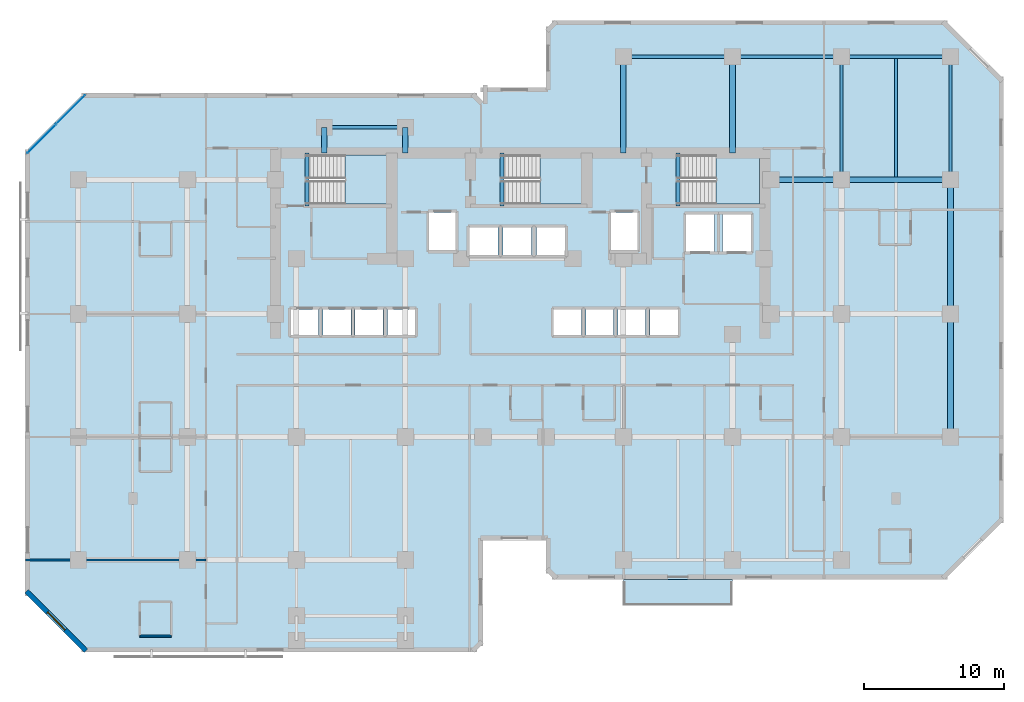
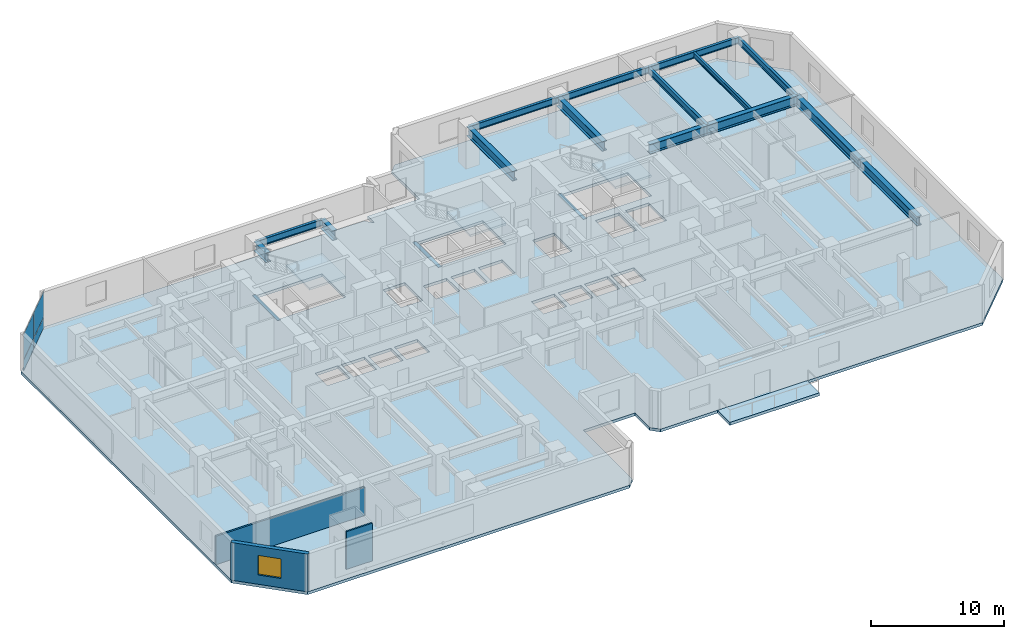
# One storey, part 4 of 11: 18 beams, 5 slabs, 4 plates, 3 walls, 1 window, 1 opening, 4 elements without a shape of their own.
"""IFC4 building model written with IfcOpenShell, lengths in metres."""

from ifc_helpers import new_model, si_unit, direction, frame, frame_2d, origin, origin_2d, place, context, subcontext, project, spatial, polyline, rectangle, i_section, outline, extrude, material, layer, layer_set, material_profile, profile_set, type_object, element, fill, aggregate, save


model = new_model("IFC4")

# Units and contexts
model_context = context("Model", 3, precision=1e-05, world=origin(), true_north=direction((0.0, 1.0)))
body_context = subcontext(model_context, "Body", "Model", "MODEL_VIEW")
ifc_project = project(units=[si_unit("LENGTHUNIT", "METRE"), si_unit("AREAUNIT", "SQUARE_METRE"), si_unit("VOLUMEUNIT", "CUBIC_METRE"), si_unit("PLANEANGLEUNIT", "RADIAN"), si_unit("MASSUNIT", "GRAM", prefix="KILO")], contexts=[model_context])

# Site, building, storey
site_placement = place(None, origin())
site = spatial("IfcSite", under=ifc_project, at=site_placement, CompositionType="ELEMENT")
building_placement = place(site_placement, origin())
building = spatial("IfcBuilding", under=site, at=building_placement, Name="Kestravale Grand Hotel", CompositionType="ELEMENT")
storey_placement = place(building_placement, frame((0.0, 0.0, 126.0)))
storey = spatial("IfcBuildingStorey", under=building, at=storey_placement, Name="L31", CompositionType="ELEMENT", Elevation=126.0)

# Beams
ifc_material_1 = material(Name="Steel ASTM A992 Grade 50", Category="steel")
ifc_material_profile_1 = material_profile(ifc_material_1, i_section(OverallWidth=0.19091796875, OverallDepth=0.45703125, WebThickness=0.009033203125, FlangeThickness=0.014404296875, FilletRadius=0.015380859375, at=origin_2d()))
ifc_profile_set_1 = profile_set([ifc_material_profile_1], Name="Steel ASTM A992 Grade 50")
beam_type_1 = type_object("IfcBeamType", Name="B-FLR-JST18", PredefinedType="JOIST", material=ifc_profile_set_1)
beam_1_placement = place(storey_placement, frame((66.300048828125, 38.6005859375, 3.2314453125), z_axis=(0.0, 1.0, 0.0), x_axis=(-1.0, 0.0, 0.0)))
element("IfcBeam", 1, at=beam_1_placement, inside=storey, type_object=beam_type_1, Name="L31 floor joist 10-11/F-G #1", PredefinedType="JOIST", context=body_context, shape_type="SweptSolid", body=[
    extrude(i_section(OverallWidth=0.19091796875, OverallDepth=0.45703125, WebThickness=0.009033203125, FlangeThickness=0.014404296875, FilletRadius=0.015380859375, at=origin_2d()), origin(), (0.0, 0.0, 1.0), 8.48486328125),
])
ifc_material_2 = material(Name="Concrete f'c 45 MPa", Category="concrete")
ifc_material_profile_2 = material_profile(ifc_material_2, rectangle(XDim=0.300048828125, YDim=0.39990234375, at=origin_2d()))
ifc_profile_set_2 = profile_set([ifc_material_profile_2], Name="Concrete f'c 45 MPa")
beam_type_2 = type_object("IfcBeamType", Name="B-FLR-LNT400", PredefinedType="LINTEL", material=ifc_profile_set_2)
for number, where, z_axis, x_axis, name in (
    (2, (24.159912109375, 36.52001953125, -0.199951171875), (0.0, 1.0, 0.0), (-1.0, 0.0, 0.0), "L31 ST1 flight bottom header beam"),
    (3, (38.110107421875, 36.52001953125, -0.199951171875), (0.0, 1.0, 0.0), (-1.0, 0.0, 0.0), "L31 ST2 flight bottom header beam"),
    (4, (50.7099609375, 36.52001953125, -0.199951171875), (0.0, 1.0, 0.0), (-1.0, 0.0, 0.0), "L31 ST3 flight bottom header beam"),
):
    element("IfcBeam", number, at=place(storey_placement, frame(where, z_axis=z_axis, x_axis=x_axis)), inside=storey, type_object=beam_type_2, Name=name, PredefinedType="LINTEL", context=body_context, shape_type="SweptSolid", body=[
        extrude(rectangle(XDim=0.300048828125, YDim=0.39990234375, at=origin_2d()), origin(), (0.0, 0.0, 1.0), 3.800048828125),
    ])
ifc_material_3 = material(Name="Steel ASTM A992 Grade 50", Category="steel")
ifc_material_profile_3 = material_profile(ifc_material_3, i_section(OverallWidth=0.22900390625, OverallDepth=0.612060546875, WebThickness=0.011962890625, FlangeThickness=0.01953125, FilletRadius=0.019287109375, at=origin_2d()))
ifc_profile_set_3 = profile_set([ifc_material_profile_3], Name="Steel ASTM A992 Grade 50")
beam_type_3 = type_object("IfcBeamType", Name="B-FLR-W24B", PredefinedType="SPANDREL", material=ifc_profile_set_3)
beam_2_placement = place(storey_placement, frame((46.800048828125, 47.199951171875, 3.154052734375), z_axis=(1.0, 0.0, 0.0), x_axis=(0.0, 1.0, 0.0)))
element("IfcBeam", 5, at=beam_2_placement, inside=storey, type_object=beam_type_3, Name="L31 spandrel G:8-9", PredefinedType="SPANDREL", context=body_context, shape_type="SweptSolid", body=[
    extrude(i_section(OverallWidth=0.22900390625, OverallDepth=0.612060546875, WebThickness=0.011962890625, FlangeThickness=0.01953125, FilletRadius=0.019287109375, at=origin_2d()), origin(), (0.0, 0.0, 1.0), 7.800048828125),
])
beam_3_placement = place(storey_placement, frame((54.60009765625, 47.199951171875, 3.154052734375), z_axis=(1.0, 0.0, 0.0), x_axis=(0.0, 1.0, 0.0)))
element("IfcBeam", 6, at=beam_3_placement, inside=storey, type_object=beam_type_3, Name="L31 spandrel G:9-10", PredefinedType="SPANDREL", context=body_context, shape_type="SweptSolid", body=[
    extrude(i_section(OverallWidth=0.22900390625, OverallDepth=0.612060546875, WebThickness=0.011962890625, FlangeThickness=0.01953125, FilletRadius=0.019287109375, at=origin_2d()), origin(), (0.0, 0.0, 1.0), 7.7998046875),
])
beam_4_placement = place(storey_placement, frame((62.39990234375, 47.199951171875, 3.154052734375), z_axis=(1.0, 0.0, 0.0), x_axis=(0.0, 1.0, 0.0)))
element("IfcBeam", 7, at=beam_4_placement, inside=storey, type_object=beam_type_3, Name="L31 spandrel G:10-11", PredefinedType="SPANDREL", context=body_context, shape_type="SweptSolid", body=[
    extrude(i_section(OverallWidth=0.22900390625, OverallDepth=0.612060546875, WebThickness=0.011962890625, FlangeThickness=0.01953125, FilletRadius=0.019287109375, at=origin_2d()), origin(), (0.0, 0.0, 1.0), 7.800048828125),
])
beam_5_placement = place(storey_placement, frame((25.39990234375, 42.14990234375, 3.154052734375), z_axis=(1.0, 0.0, 0.0), x_axis=(0.0, 1.0, 0.0)))
element("IfcBeam", 8, at=beam_5_placement, inside=storey, type_object=beam_type_3, Name="L31 perimeter tie spandrel FN:4-5", PredefinedType="SPANDREL", context=body_context, shape_type="SweptSolid", body=[
    extrude(i_section(OverallWidth=0.22900390625, OverallDepth=0.612060546875, WebThickness=0.011962890625, FlangeThickness=0.01953125, FilletRadius=0.019287109375, at=origin_2d()), origin(), (0.0, 0.0, 1.0), 5.800048828125),
])
for number, where, z_axis, x_axis, name in (
    (9, (62.39990234375, 38.39990234375, 3.154052734375), (0.0, 1.0, 0.0), (-1.0, 0.0, 0.0), "L31 spandrel 10:F-G"),
    (10, (70.199951171875, 38.39990234375, 3.154052734375), (0.0, 1.0, 0.0), (-1.0, 0.0, 0.0), "L31 spandrel 11:F-G"),
):
    element("IfcBeam", number, at=place(storey_placement, frame(where, z_axis=z_axis, x_axis=x_axis)), inside=storey, type_object=beam_type_3, Name=name, PredefinedType="SPANDREL", context=body_context, shape_type="SweptSolid", body=[
        extrude(i_section(OverallWidth=0.22900390625, OverallDepth=0.612060546875, WebThickness=0.011962890625, FlangeThickness=0.01953125, FilletRadius=0.019287109375, at=origin_2d()), origin(), (0.0, 0.0, 1.0), 8.800048828125),
    ])
ifc_material_4 = material(Name="Steel ASTM A992 Grade 50", Category="steel")
ifc_material_profile_4 = material_profile(ifc_material_4, i_section(OverallWidth=0.40087890625, OverallDepth=0.861083984375, WebThickness=0.019775390625, FlangeThickness=0.032470703125, FilletRadius=0.0234375, at=origin_2d()))
ifc_profile_set_4 = profile_set([ifc_material_profile_4], Name="Steel ASTM A992 Grade 50")
beam_type_4 = type_object("IfcBeamType", Name="B-GRD-W33", PredefinedType="BEAM", material=ifc_profile_set_4)
beam_6_placement = place(storey_placement, frame((57.35009765625, 38.39990234375, 3.029541015625), z_axis=(1.0, 0.0, 0.0), x_axis=(0.0, 1.0, 0.0)))
element("IfcBeam", 11, at=beam_6_placement, inside=storey, type_object=beam_type_4, Name="L31 girder F:CE-10", PredefinedType="BEAM", context=body_context, shape_type="SweptSolid", body=[
    extrude(i_section(OverallWidth=0.40087890625, OverallDepth=0.861083984375, WebThickness=0.019775390625, FlangeThickness=0.032470703125, FilletRadius=0.0234375, at=origin_2d()), origin(), (0.0, 0.0, 1.0), 5.0498046875),
])
beam_7_placement = place(storey_placement, frame((62.39990234375, 38.39990234375, 3.029541015625), z_axis=(1.0, 0.0, 0.0), x_axis=(0.0, 1.0, 0.0)))
element("IfcBeam", 12, at=beam_7_placement, inside=storey, type_object=beam_type_4, Name="L31 girder F:10-11", PredefinedType="BEAM", context=body_context, shape_type="SweptSolid", body=[
    extrude(i_section(OverallWidth=0.40087890625, OverallDepth=0.861083984375, WebThickness=0.019775390625, FlangeThickness=0.032470703125, FilletRadius=0.0234375, at=origin_2d()), origin(), (0.0, 0.0, 1.0), 7.800048828125),
])
beam_8_placement = place(storey_placement, frame((70.199951171875, 20.0, 3.029541015625), z_axis=(0.0, 1.0, 0.0), x_axis=(-1.0, 0.0, 0.0)))
element("IfcBeam", 13, at=beam_8_placement, inside=storey, type_object=beam_type_4, Name="L31 girder 11:D-E", PredefinedType="BEAM", context=body_context, shape_type="SweptSolid", body=[
    extrude(i_section(OverallWidth=0.40087890625, OverallDepth=0.861083984375, WebThickness=0.019775390625, FlangeThickness=0.032470703125, FilletRadius=0.0234375, at=origin_2d()), origin(), (0.0, 0.0, 1.0), 8.800048828125),
])
beam_9_placement = place(storey_placement, frame((70.199951171875, 28.800048828125, 3.029541015625), z_axis=(0.0, 1.0, 0.0), x_axis=(-1.0, 0.0, 0.0)))
element("IfcBeam", 14, at=beam_9_placement, inside=storey, type_object=beam_type_4, Name="L31 girder 11:E-F", PredefinedType="BEAM", context=body_context, shape_type="SweptSolid", body=[
    extrude(i_section(OverallWidth=0.40087890625, OverallDepth=0.861083984375, WebThickness=0.019775390625, FlangeThickness=0.032470703125, FilletRadius=0.0234375, at=origin_2d()), origin(), (0.0, 0.0, 1.0), 9.599853515625),
])
for number, where, z_axis, x_axis, name in (
    (15, (25.39990234375, 40.320068359375, 3.029541015625), (0.0, 1.0, 0.0), (-1.0, 0.0, 0.0), "L31 north wing tie girder 4:CN-FN"),
    (16, (31.199951171875, 40.320068359375, 3.029541015625), (0.0, 1.0, 0.0), (-1.0, 0.0, 0.0), "L31 north wing tie girder 5:CN-FN"),
):
    element("IfcBeam", number, at=place(storey_placement, frame(where, z_axis=z_axis, x_axis=x_axis)), inside=storey, type_object=beam_type_4, Name=name, PredefinedType="BEAM", context=body_context, shape_type="SweptSolid", body=[
        extrude(i_section(OverallWidth=0.40087890625, OverallDepth=0.861083984375, WebThickness=0.019775390625, FlangeThickness=0.032470703125, FilletRadius=0.0234375, at=origin_2d()), origin(), (0.0, 0.0, 1.0), 1.829833984375),
    ])
for number, where, z_axis, x_axis, name in (
    (17, (46.800048828125, 40.320068359375, 3.029541015625), (0.0, 1.0, 0.0), (-1.0, 0.0, 0.0), "L31 north wing tie girder 8:CN-G"),
    (18, (54.60009765625, 40.320068359375, 3.029541015625), (0.0, 1.0, 0.0), (-1.0, 0.0, 0.0), "L31 north wing tie girder 9:CN-G"),
):
    element("IfcBeam", number, at=place(storey_placement, frame(where, z_axis=z_axis, x_axis=x_axis)), inside=storey, type_object=beam_type_4, Name=name, PredefinedType="BEAM", context=body_context, shape_type="SweptSolid", body=[
        extrude(i_section(OverallWidth=0.40087890625, OverallDepth=0.861083984375, WebThickness=0.019775390625, FlangeThickness=0.032470703125, FilletRadius=0.0234375, at=origin_2d()), origin(), (0.0, 0.0, 1.0), 6.8798828125),
    ])

# Curtain wall, plates
ifc_material_5 = material(Name="Thermally broken champagne-bronze aluminium and low-E glazing", Category="aluminium")
ifc_layer_1 = layer(ifc_material_5, 0.199951171875)
ifc_layer_set_1 = layer_set([ifc_layer_1], Name="CW-Z2")
curtain_wall_type = type_object("IfcCurtainWallType", Name="CW-Z2", PredefinedType="NOTDEFINED", material=ifc_layer_set_1)
curtain_wall_placement = place(storey_placement, origin())
curtain_wall = element("IfcCurtainWall", 19, at=curtain_wall_placement, inside=storey, type_object=curtain_wall_type, Name="L31 unitised curtain wall 18", PredefinedType="NOTDEFINED")
ifc_material_6 = material(Name="Insulated clear low-E double glazing IGU", Category="glass")
ifc_layer_2 = layer(ifc_material_6, 0.031982421875)
ifc_layer_set_2 = layer_set([ifc_layer_2], Name="CW-PNL-32")
plate_type = type_object("IfcPlateType", Name="CW-PNL-32", PredefinedType="CURTAIN_PANEL", material=ifc_layer_set_2)
plate_1_placement = place(storey_placement, frame((7.26416015625, 43.423583984375, 0.06494140625), z_axis=(0.0, 0.0, 1.0), x_axis=(-0.707106781187, -0.707106781187, 0.0)))
plate_1 = element("IfcPlate", 20, at=plate_1_placement, type_object=plate_type, Name="CW-Z2 panel 1.1", PredefinedType="CURTAIN_PANEL", context=body_context, shape_type="SweptSolid", body=[
    extrude(rectangle(XDim=2.87744140625, YDim=0.031982421875, at=origin_2d()), origin(), (0.0, 0.0, 1.0), 0.952392578125),
])
plate_2_placement = place(storey_placement, frame((7.26416015625, 43.423583984375, 1.08251953125), z_axis=(0.0, 0.0, 1.0), x_axis=(-0.707106781187, -0.707106781187, 0.0)))
plate_2 = element("IfcPlate", 21, at=plate_2_placement, type_object=plate_type, Name="CW-Z2 panel 1.2", PredefinedType="CURTAIN_PANEL", context=body_context, shape_type="SweptSolid", body=[
    extrude(rectangle(XDim=2.87744140625, YDim=0.031982421875, at=origin_2d()), origin(), (0.0, 0.0, 1.0), 2.3125),
])
plate_3_placement = place(storey_placement, frame((5.17626953125, 41.3359375, 0.06494140625), z_axis=(0.0, 0.0, 1.0), x_axis=(-0.707106781187, -0.707106781187, 0.0)))
plate_3 = element("IfcPlate", 22, at=plate_3_placement, type_object=plate_type, Name="CW-Z2 panel 2.1", PredefinedType="CURTAIN_PANEL", context=body_context, shape_type="SweptSolid", body=[
    extrude(rectangle(XDim=2.87744140625, YDim=0.031982421875, at=origin_2d()), origin(), (0.0, 0.0, 1.0), 0.952392578125),
])
plate_4_placement = place(storey_placement, frame((5.17626953125, 41.3359375, 1.08251953125), z_axis=(0.0, 0.0, 1.0), x_axis=(-0.707106781187, -0.707106781187, 0.0)))
plate_4 = element("IfcPlate", 23, at=plate_4_placement, type_object=plate_type, Name="CW-Z2 panel 2.2", PredefinedType="CURTAIN_PANEL", context=body_context, shape_type="SweptSolid", body=[
    extrude(rectangle(XDim=2.87744140625, YDim=0.031982421875, at=origin_2d()), origin(), (0.0, 0.0, 1.0), 2.3125),
])
aggregate(curtain_wall, [plate_1, plate_2, plate_3, plate_4])

# Slab
ifc_material_7 = material(Name="Concrete f'c 45 MPa", Category="concrete")
ifc_layer_3 = layer(ifc_material_7, 0.27001953125)
ifc_layer_set_3 = layer_set([ifc_layer_3], Name="ES-TERR-270")
slab_type_1 = type_object("IfcSlabType", Name="ES-TERR-270", PredefinedType="FLOOR", material=ifc_layer_set_3)
slab_1_placement = place(storey_placement, frame((0.0, 0.0, -0.27001953125)))
element("IfcSlab", 24, at=slab_1_placement, inside=storey, type_object=slab_type_1, Name="L31 spiralling planted garden terrace", PredefinedType="FLOOR", context=body_context, shape_type="SweptSolid", body=[
    extrude(outline(polyline([(46.800048828125, 7.949951171875), (54.60009765625, 7.949951171875), (54.60009765625, 9.800048828125), (46.800048828125, 9.800048828125), (46.800048828125, 7.949951171875)])), origin(), (0.0, 0.0, 1.0), 0.27001953125),
])

# Stair, slab
ifc_material_8 = material(Name="Concrete f'c 45 MPa", Category="concrete")
stair_type = type_object("IfcStairType", Name="ST-CORE-380", PredefinedType="HALF_TURN_STAIR", material=ifc_material_8)
stair_1_placement = place(storey_placement, origin())
stair_1 = element("IfcStair", 25, at=stair_1_placement, inside=storey, type_object=stair_type, Name="L31 ST-1", PredefinedType="HALF_TURN_STAIR")
ifc_material_9 = material(Name="Concrete f'c 45 MPa", Category="concrete")
ifc_layer_4 = layer(ifc_material_9, 0.199951171875)
ifc_layer_set_4 = layer_set([ifc_layer_4], Name="SLB-ST-LND200")
slab_type_2 = type_object("IfcSlabType", Name="SLB-ST-LND200", PredefinedType="LANDING", material=ifc_layer_set_4)
slab_2_placement = place(storey_placement, frame((0.0, 0.0, 1.699951171875)))
slab_2 = element("IfcSlab", 26, at=slab_2_placement, type_object=slab_type_2, Name="ST-1 landing 1", PredefinedType="LANDING", context=body_context, shape_type="SweptSolid", body=[
    extrude(outline(polyline([(26.8798828125, 36.64990234375), (30.0, 36.64990234375), (30.0, 40.159912109375), (26.8798828125, 40.159912109375), (26.8798828125, 36.64990234375)])), origin(), (0.0, 0.0, 1.0), 0.199951171875),
])
aggregate(stair_1, [slab_2])

stair_2_placement = place(storey_placement, origin())
stair_2 = element("IfcStair", 27, at=stair_2_placement, inside=storey, type_object=stair_type, Name="L31 ST-2", PredefinedType="HALF_TURN_STAIR")
slab_3_placement = place(storey_placement, frame((0.0, 0.0, 1.699951171875)))
slab_3 = element("IfcSlab", 28, at=slab_3_placement, type_object=slab_type_2, Name="ST-2 landing 1", PredefinedType="LANDING", context=body_context, shape_type="SweptSolid", body=[
    extrude(outline(polyline([(40.830078125, 36.64990234375), (43.949951171875, 36.64990234375), (43.949951171875, 40.159912109375), (40.830078125, 40.159912109375), (40.830078125, 36.64990234375)])), origin(), (0.0, 0.0, 1.0), 0.199951171875),
])
aggregate(stair_2, [slab_3])

stair_3_placement = place(storey_placement, origin())
stair_3 = element("IfcStair", 29, at=stair_3_placement, inside=storey, type_object=stair_type, Name="L31 ST-3", PredefinedType="HALF_TURN_STAIR")
slab_4_placement = place(storey_placement, frame((0.0, 0.0, 1.699951171875)))
slab_4 = element("IfcSlab", 30, at=slab_4_placement, type_object=slab_type_2, Name="ST-3 landing 1", PredefinedType="LANDING", context=body_context, shape_type="SweptSolid", body=[
    extrude(outline(polyline([(53.429931640625, 36.64990234375), (56.550048828125, 36.64990234375), (56.550048828125, 40.159912109375), (53.429931640625, 40.159912109375), (53.429931640625, 36.64990234375)])), origin(), (0.0, 0.0, 1.0), 0.199951171875),
])
aggregate(stair_3, [slab_4])

# Slab
ifc_material_10 = material(Name="Concrete f'c 45 MPa", Category="concrete")
ifc_layer_5 = layer(ifc_material_10, 0.260009765625)
ifc_layer_set_5 = layer_set([ifc_layer_5], Name="SS-FLR-260")
slab_type_3 = type_object("IfcSlabType", Name="SS-FLR-260", PredefinedType="FLOOR", material=ifc_layer_set_5)
slab_5_placement = place(storey_placement, frame((0.0, 0.0, -0.260009765625)))
element("IfcSlab", 31, at=slab_5_placement, inside=storey, type_object=slab_type_3, Name="L31 structural floor slab", PredefinedType="FLOOR", context=body_context, shape_type="SweptSolid", body=[
    extrude(outline(polyline([(8.199951171875, 4.60009765625), (36.14990234375, 4.60009765625), (36.75, 5.199951171875), (36.75, 12.60009765625), (41.25, 12.60009765625), (41.25, 10.39990234375), (41.85009765625, 9.800048828125), (69.800048828125, 9.800048828125), (74.0, 14.0), (74.0, 45.60009765625), (69.800048828125, 49.800048828125), (41.85009765625, 49.800048828125), (41.25, 49.199951171875), (41.25, 45.0), (36.75, 45.0), (36.75, 44.0), (36.14990234375, 44.60009765625), (8.199951171875, 44.60009765625), (4.0, 40.39990234375), (4.0, 8.800048828125), (8.199951171875, 4.60009765625)]), holes=[polyline([(24.080078125, 36.64990234375), (30.0, 36.64990234375), (30.0, 40.159912109375), (24.080078125, 40.159912109375), (24.080078125, 36.64990234375)]), polyline([(38.030029296875, 36.64990234375), (43.949951171875, 36.64990234375), (43.949951171875, 40.159912109375), (38.030029296875, 40.159912109375), (38.030029296875, 36.64990234375)]), polyline([(50.6298828125, 36.64990234375), (56.550048828125, 36.64990234375), (56.550048828125, 40.159912109375), (50.6298828125, 40.159912109375), (50.6298828125, 36.64990234375)]), polyline([(23.0048828125, 27.280029296875), (24.9951171875, 27.280029296875), (24.9951171875, 29.1201171875), (23.0048828125, 29.1201171875), (23.0048828125, 27.280029296875)]), polyline([(25.304931640625, 27.280029296875), (27.294921875, 27.280029296875), (27.294921875, 29.1201171875), (25.304931640625, 29.1201171875), (25.304931640625, 27.280029296875)]), polyline([(27.60498046875, 27.280029296875), (29.594970703125, 27.280029296875), (29.594970703125, 29.1201171875), (27.60498046875, 29.1201171875), (27.60498046875, 27.280029296875)]), polyline([(29.905029296875, 27.280029296875), (31.89501953125, 27.280029296875), (31.89501953125, 29.1201171875), (29.905029296875, 29.1201171875), (29.905029296875, 27.280029296875)]), polyline([(41.804931640625, 27.280029296875), (43.794921875, 27.280029296875), (43.794921875, 29.1201171875), (41.804931640625, 29.1201171875), (41.804931640625, 27.280029296875)]), polyline([(44.10498046875, 27.280029296875), (46.094970703125, 27.280029296875), (46.094970703125, 29.1201171875), (44.10498046875, 29.1201171875), (44.10498046875, 27.280029296875)]), polyline([(46.405029296875, 27.280029296875), (48.39501953125, 27.280029296875), (48.39501953125, 29.1201171875), (46.405029296875, 29.1201171875), (46.405029296875, 27.280029296875)]), polyline([(48.705078125, 27.280029296875), (50.695068359375, 27.280029296875), (50.695068359375, 29.1201171875), (48.705078125, 29.1201171875), (48.705078125, 27.280029296875)]), polyline([(35.780029296875, 33.030029296875), (37.820068359375, 33.030029296875), (37.820068359375, 34.969970703125), (35.780029296875, 34.969970703125), (35.780029296875, 33.030029296875)]), polyline([(38.179931640625, 33.030029296875), (40.219970703125, 33.030029296875), (40.219970703125, 34.969970703125), (38.179931640625, 34.969970703125), (38.179931640625, 33.030029296875)]), polyline([(40.580078125, 33.030029296875), (42.6201171875, 33.030029296875), (42.6201171875, 34.969970703125), (40.580078125, 34.969970703125), (40.580078125, 33.030029296875)]), polyline([(32.905029296875, 33.35498046875), (34.794921875, 33.35498046875), (34.794921875, 36.044921875), (32.905029296875, 36.044921875), (32.905029296875, 33.35498046875)]), polyline([(45.905029296875, 33.35498046875), (47.794921875, 33.35498046875), (47.794921875, 36.044921875), (45.905029296875, 36.044921875), (45.905029296875, 33.35498046875)]), polyline([(51.280029296875, 33.280029296875), (53.320068359375, 33.280029296875), (53.320068359375, 35.919921875), (51.280029296875, 35.919921875), (51.280029296875, 33.280029296875)]), polyline([(53.8798828125, 33.280029296875), (55.919921875, 33.280029296875), (55.919921875, 35.919921875), (53.8798828125, 35.919921875), (53.8798828125, 33.280029296875)])]), origin(), (0.0, 0.0, 1.0), 0.260009765625),
])

# Wall, opening, window
ifc_material_11 = material(Name="Precast concrete f'c 45 MPa", Category="concrete")
ifc_layer_6 = layer(ifc_material_11, 0.340087890625)
ifc_layer_set_6 = layer_set([ifc_layer_6], Name="EW-PREC-340")
wall_type_1 = type_object("IfcWallType", Name="EW-PREC-340", PredefinedType="SOLIDWALL", material=ifc_layer_set_6)
wall_1_placement = place(storey_placement, frame((4.091796875, 8.948486328125, 0.0), z_axis=(0.0, 0.0, 1.0), x_axis=(0.707106781187, -0.707106781187, 0.0)))
wall_1 = element("IfcWall", 32, at=wall_1_placement, inside=storey, type_object=wall_type_1, Name="L31 fluted precast facade wall 20", PredefinedType="SOLIDWALL", context=body_context, shape_type="SweptSolid", body=[
    extrude(rectangle(XDim=6.019775390625, YDim=0.340087890625, at=frame_2d((3.009765625, 0.0))), origin(), (0.0, 0.0, 1.0), 3.4599609375),
])
opening_placement = place(wall_1_placement, frame((2.10986328125, 0.0, 0.85009765625)))
opening = element("IfcOpeningElement", 33, at=opening_placement, cuts=wall_1, Name="Opening W-GUEST-1800", PredefinedType="OPENING", context=body_context, shape_type="SweptSolid", body=[
    extrude(rectangle(XDim=1.800048828125, YDim=1.800048828125, at=frame_2d((0.89990234375, 0.89990234375))), frame((0.0, 0.179931640625, 0.0), z_axis=(0.0, -1.0, 0.0), x_axis=(1.0, 0.0, 0.0)), (0.0, 0.0, 1.0), 0.360107421875),
])
ifc_material_12 = material(Name="Insulated low-E double glazing in aluminium frame", Category="aluminium")
window_type = type_object("IfcWindowType", Name="W-GUEST-1800", PartitioningType="DOUBLE_PANEL_VERTICAL", PredefinedType="WINDOW", material=ifc_material_12)
window_placement = place(opening_placement, origin())
window = element("IfcWindow", 34, at=window_placement, inside=storey, type_object=window_type, Name="L31 exterior window 20.1", OverallHeight=1.800048828125, OverallWidth=1.800048828125, PartitioningType="SINGLE_PANEL", PredefinedType="WINDOW", context=body_context, shape_type="SweptSolid", body=[
    extrude(rectangle(XDim=1.800048828125, YDim=1.800048828125, at=frame_2d((0.89990234375, 0.89990234375))), frame((0.0, 0.030029296875, 0.0), z_axis=(0.0, -1.0, 0.0), x_axis=(1.0, 0.0, 0.0)), (0.0, 0.0, 1.0), 0.06005859375),
])
fill(opening, window)

# Walls
ifc_material_13 = material(Name="Moisture-resistant tile-backer plumbing chase wall", Category="other")
ifc_layer_7 = layer(ifc_material_13, 0.139892578125)
ifc_layer_set_7 = layer_set([ifc_layer_7], Name="IW-PLB-140")
wall_type_2 = type_object("IfcWallType", Name="IW-PLB-140", PredefinedType="PLUMBINGWALL", material=ifc_layer_set_7)
wall_2_placement = place(storey_placement, frame((12.199951171875, 5.75, 0.0), z_axis=(0.0, 0.0, 1.0), x_axis=(1.0, 0.0, 0.0)))
element("IfcWall", 35, at=wall_2_placement, inside=storey, type_object=wall_type_2, Name="W-L31-U04-BS", PredefinedType="PLUMBINGWALL", context=body_context, shape_type="SweptSolid", body=[
    extrude(rectangle(XDim=2.25, YDim=0.139892578125, at=frame_2d((1.125, 0.0))), origin(), (0.0, 0.0, 1.0), 3.4599609375),
])
ifc_material_14 = material(Name="Double-stud STC 52 acoustic demising partition", Category="other")
ifc_layer_8 = layer(ifc_material_14, 0.14990234375)
ifc_layer_set_8 = layer_set([ifc_layer_8], Name="IW-UNIT-150")
wall_type_3 = type_object("IfcWallType", Name="IW-UNIT-150", PredefinedType="PARTITIONING", material=ifc_layer_set_8)
wall_3_placement = place(storey_placement, frame((4.02001953125, 11.199951171875, 0.0), z_axis=(0.0, 0.0, 1.0), x_axis=(1.0, 0.0, 0.0)))
element("IfcWall", 36, at=wall_3_placement, inside=storey, type_object=wall_type_3, Name="W-L31-WW-1", PredefinedType="PARTITIONING", context=body_context, shape_type="SweptSolid", body=[
    extrude(rectangle(XDim=12.919921875, YDim=0.14990234375, at=frame_2d((6.4599609375, 0.0))), origin(), (0.0, 0.0, 1.0), 2.59912109375),
])

save(model, "model.ifc")
